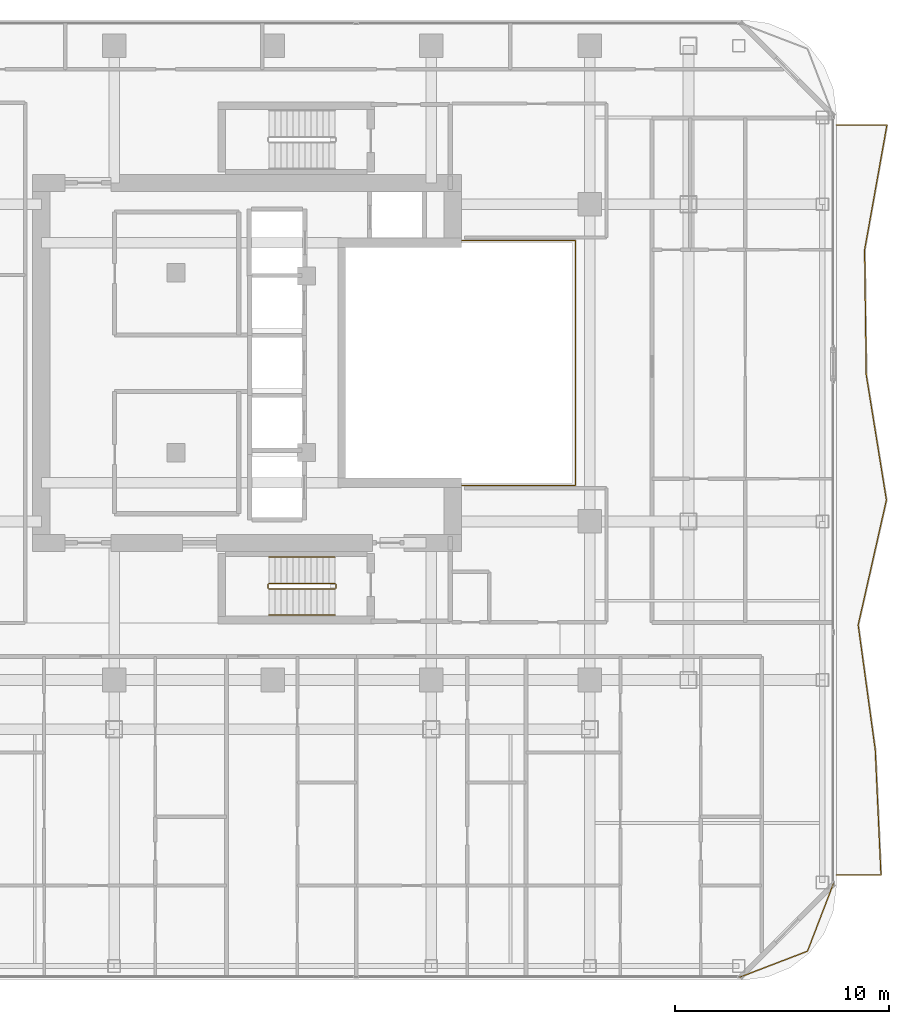
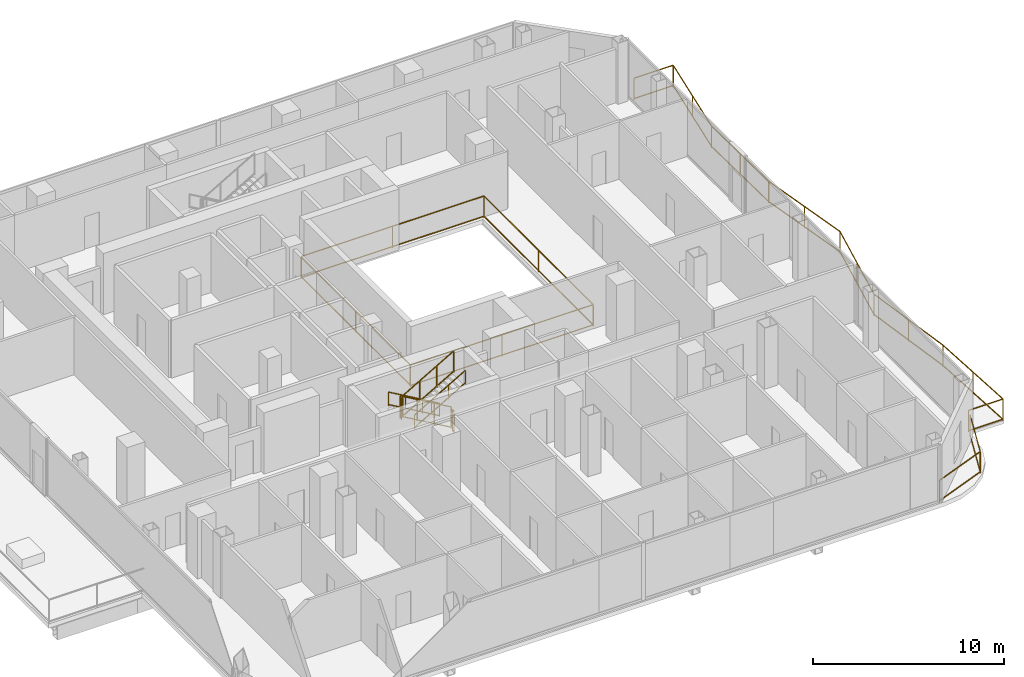
# One storey, part 25 of 26: 9 railings.
"""IFC4 building model written with IfcOpenShell, lengths in metres."""

from ifc_helpers import new_model, si_unit, direction, frame, origin, origin_2d, place, context, subcontext, project, spatial, rectangle, extrude, material, type_object, element, save


model = new_model("IFC4")

# Units and contexts
model_context = context("Model", 3, precision=1e-05, world=origin(), true_north=direction((0.0, 1.0)))
body_context = subcontext(model_context, "Body", "Model", "MODEL_VIEW")
ifc_project = project(units=[si_unit("LENGTHUNIT", "METRE"), si_unit("AREAUNIT", "SQUARE_METRE"), si_unit("VOLUMEUNIT", "CUBIC_METRE"), si_unit("PLANEANGLEUNIT", "RADIAN"), si_unit("MASSUNIT", "GRAM", prefix="KILO")], contexts=[model_context])

# Site, building, storey
site_placement = place(None, origin())
site = spatial("IfcSite", under=ifc_project, at=site_placement, CompositionType="ELEMENT")
building_placement = place(site_placement, origin())
building = spatial("IfcBuilding", under=site, at=building_placement, Name="Khorvyn Point Tower", CompositionType="ELEMENT")
storey_placement = place(building_placement, frame((0.0, 0.0, 219.60009765625)))
storey = spatial("IfcBuildingStorey", under=building, at=storey_placement, Name="L54", CompositionType="ELEMENT", Elevation=219.60009765625)

# Railings
ifc_material_1 = material(Name="Stainless steel 1.4401 and laminated glass", Category="steel")
railing_type_1 = type_object("IfcRailingType", Name="Crystal Atrium Smoke-Rated Perimeter Guardrail 1400", PredefinedType="GUARDRAIL", material=ifc_material_1)
railing_1_placement = place(storey_placement, frame((3.080078125, -5.719970703125, 0.0)))
element("IfcRailing", 1, at=railing_1_placement, inside=storey, type_object=railing_type_1, Name="L54 Crystal Atrium Perimeter Guardrail", PredefinedType="GUARDRAIL", context=body_context, shape_type="SweptSolid", body=[
    extrude(rectangle(XDim=0.048095703125, YDim=0.048095703125, at=origin_2d()), frame((0.0, 0.0, 1.3759765625), z_axis=(1.0, 0.0, 0.0), x_axis=(0.0, 1.0, 0.0)), (0.0, 0.0, 1.0), 11.0400390625),
    extrude(rectangle(XDim=0.048095703125, YDim=0.048095703125, at=origin_2d()), frame((0.0, 0.0, 0.080078125), z_axis=(1.0, 0.0, 0.0), x_axis=(0.0, 1.0, 0.0)), (0.0, 0.0, 1.0), 11.0400390625),
    extrude(rectangle(XDim=0.048095703125, YDim=0.048095703125, at=origin_2d()), frame((11.0400390625, 0.0, 1.3759765625), z_axis=(0.0, 1.0, 0.0), x_axis=(-1.0, 0.0, 0.0)), (0.0, 0.0, 1.0), 11.43994140625),
    extrude(rectangle(XDim=0.048095703125, YDim=0.048095703125, at=origin_2d()), frame((11.0400390625, 0.0, 0.080078125), z_axis=(0.0, 1.0, 0.0), x_axis=(-1.0, 0.0, 0.0)), (0.0, 0.0, 1.0), 11.43994140625),
    extrude(rectangle(XDim=0.048095703125, YDim=0.048095703125, at=origin_2d()), frame((11.0400390625, 11.43994140625, 1.3759765625), z_axis=(-1.0, 0.0, 0.0), x_axis=(0.0, -1.0, 0.0)), (0.0, 0.0, 1.0), 11.0400390625),
    extrude(rectangle(XDim=0.048095703125, YDim=0.048095703125, at=origin_2d()), frame((11.0400390625, 11.43994140625, 0.080078125), z_axis=(-1.0, 0.0, 0.0), x_axis=(0.0, -1.0, 0.0)), (0.0, 0.0, 1.0), 11.0400390625),
    extrude(rectangle(XDim=0.048095703125, YDim=0.048095703125, at=origin_2d()), frame((0.0, 11.43994140625, 1.3759765625), z_axis=(0.0, -1.0, 0.0), x_axis=(1.0, 0.0, 0.0)), (0.0, 0.0, 1.0), 11.409912109375),
    extrude(rectangle(XDim=0.048095703125, YDim=0.048095703125, at=origin_2d()), frame((0.0, 11.43994140625, 0.080078125), z_axis=(0.0, -1.0, 0.0), x_axis=(1.0, 0.0, 0.0)), (0.0, 0.0, 1.0), 11.409912109375),
    extrude(rectangle(XDim=0.0419921875, YDim=0.0419921875, at=origin_2d()), origin(), (0.0, 0.0, 1.0), 1.351806640625),
    extrude(rectangle(XDim=0.0419921875, YDim=0.0419921875, at=origin_2d()), frame((5.52001953125, 0.0, 0.0)), (0.0, 0.0, 1.0), 1.351806640625),
    extrude(rectangle(XDim=0.0419921875, YDim=0.0419921875, at=origin_2d()), frame((11.0400390625, 0.0, 0.0)), (0.0, 0.0, 1.0), 1.351806640625),
    extrude(rectangle(XDim=0.0419921875, YDim=0.0419921875, at=origin_2d()), frame((11.0400390625, 5.719970703125, 0.0)), (0.0, 0.0, 1.0), 1.351806640625),
    extrude(rectangle(XDim=0.0419921875, YDim=0.0419921875, at=origin_2d()), frame((11.0400390625, 11.43994140625, 0.0)), (0.0, 0.0, 1.0), 1.351806640625),
    extrude(rectangle(XDim=0.0419921875, YDim=0.0419921875, at=origin_2d()), frame((5.52001953125, 11.43994140625, 0.0)), (0.0, 0.0, 1.0), 1.351806640625),
    extrude(rectangle(XDim=0.0419921875, YDim=0.0419921875, at=origin_2d()), frame((0.0, 11.43994140625, 0.0)), (0.0, 0.0, 1.0), 1.351806640625),
    extrude(rectangle(XDim=0.0419921875, YDim=0.0419921875, at=origin_2d()), frame((0.0, 5.73486328125, 0.0)), (0.0, 0.0, 1.0), 1.351806640625),
    extrude(rectangle(XDim=0.0419921875, YDim=0.0419921875, at=origin_2d()), frame((0.0, 0.030029296875, 0.0)), (0.0, 0.0, 1.0), 1.351806640625),
])
ifc_material_2 = material(Name="Anodised aluminium 6063-T6 and laminated safety glass", Category="aluminium")
railing_type_2 = type_object("IfcRailingType", Name="Laminated Glass and Aluminium Balcony Guardrail 1400", PredefinedType="BALUSTRADE", material=ifc_material_2)
railing_2_placement = place(storey_placement, frame((21.78125, -28.67431640625, 0.0)))
element("IfcRailing", 2, at=railing_2_placement, inside=storey, type_object=railing_type_2, Name="L54 Rounded Corner Edge Guardrail SE", PredefinedType="BALUSTRADE", context=body_context, shape_type="SweptSolid", body=[
    extrude(rectangle(XDim=0.048095703125, YDim=0.048095703125, at=origin_2d()), frame((0.0, 0.0, 1.3759765625), z_axis=(0.933589651443, 0.358343916815, 0.0), x_axis=(-0.358343916815, 0.933589651443, 0.0)), (0.0, 0.0, 1.0), 3.400390625),
    extrude(rectangle(XDim=0.048095703125, YDim=0.048095703125, at=origin_2d()), frame((0.0, 0.0, 0.080078125), z_axis=(0.933589651443, 0.358343916815, 0.0), x_axis=(-0.358343916815, 0.933589651443, 0.0)), (0.0, 0.0, 1.0), 3.400390625),
    extrude(rectangle(XDim=0.048095703125, YDim=0.048095703125, at=origin_2d()), frame((3.174560546875, 1.218505859375, 1.3759765625), z_axis=(0.358343916815, 0.933589651443, 0.0), x_axis=(-0.933589651443, 0.358343916815, 0.0)), (0.0, 0.0, 1.0), 3.400390625),
    extrude(rectangle(XDim=0.048095703125, YDim=0.048095703125, at=origin_2d()), frame((3.174560546875, 1.218505859375, 0.080078125), z_axis=(0.358343916815, 0.933589651443, 0.0), x_axis=(-0.933589651443, 0.358343916815, 0.0)), (0.0, 0.0, 1.0), 3.400390625),
    extrude(rectangle(XDim=0.0419921875, YDim=0.0419921875, at=origin_2d()), origin(), (0.0, 0.0, 1.0), 1.351806640625),
    extrude(rectangle(XDim=0.0419921875, YDim=0.0419921875, at=origin_2d()), frame((3.174560546875, 1.218505859375, 0.0)), (0.0, 0.0, 1.0), 1.351806640625),
    extrude(rectangle(XDim=0.0419921875, YDim=0.0419921875, at=origin_2d()), frame((4.39306640625, 4.39306640625, 0.0)), (0.0, 0.0, 1.0), 1.351806640625),
])
railing_3_placement = place(storey_placement, frame((26.300048828125, -23.89990234375, 0.0)))
element("IfcRailing", 3, at=railing_3_placement, inside=storey, type_object=railing_type_2, Name="L54 East Balcony Guardrail", PredefinedType="BALUSTRADE", context=body_context, shape_type="SweptSolid", body=[
    extrude(rectangle(XDim=0.048095703125, YDim=0.048095703125, at=origin_2d()), frame((0.0, 0.0, 1.3759765625), z_axis=(1.0, 0.0, 0.0), x_axis=(0.0, 1.0, 0.0)), (0.0, 0.0, 1.0), 2.08349609375),
    extrude(rectangle(XDim=0.048095703125, YDim=0.048095703125, at=origin_2d()), frame((0.0, 0.0, 0.080078125), z_axis=(1.0, 0.0, 0.0), x_axis=(0.0, 1.0, 0.0)), (0.0, 0.0, 1.0), 2.08349609375),
    extrude(rectangle(XDim=0.048095703125, YDim=0.048095703125, at=origin_2d()), frame((2.08349609375, 0.0, 1.3759765625), z_axis=(-0.045572658063, 0.998961026686, 0.0), x_axis=(-0.998961026686, -0.045572658063, 0.0)), (0.0, 0.0, 1.0), 5.83935546875),
    extrude(rectangle(XDim=0.048095703125, YDim=0.048095703125, at=origin_2d()), frame((2.08349609375, 0.0, 0.080078125), z_axis=(-0.045572658063, 0.998961026686, 0.0), x_axis=(-0.998961026686, -0.045572658063, 0.0)), (0.0, 0.0, 1.0), 5.83935546875),
    extrude(rectangle(XDim=0.048095703125, YDim=0.048095703125, at=origin_2d()), frame((1.8173828125, 5.833251953125, 1.3759765625), z_axis=(-0.13539262389, 0.990792025299, 0.0), x_axis=(-0.990792025299, -0.13539262389, 0.0)), (0.0, 0.0, 1.0), 5.887451171875),
    extrude(rectangle(XDim=0.048095703125, YDim=0.048095703125, at=origin_2d()), frame((1.8173828125, 5.833251953125, 0.080078125), z_axis=(-0.13539262389, 0.990792025299, 0.0), x_axis=(-0.990792025299, -0.13539262389, 0.0)), (0.0, 0.0, 1.0), 5.887451171875),
    extrude(rectangle(XDim=0.048095703125, YDim=0.048095703125, at=origin_2d()), frame((1.020263671875, 11.66650390625, 1.3759765625), z_axis=(0.220283425331, 0.975435908978, 0.0), x_axis=(-0.975435908978, 0.220283425331, 0.0)), (0.0, 0.0, 1.0), 5.98046875),
    extrude(rectangle(XDim=0.048095703125, YDim=0.048095703125, at=origin_2d()), frame((1.020263671875, 11.66650390625, 0.080078125), z_axis=(0.220283425331, 0.975435908978, 0.0), x_axis=(-0.975435908978, 0.220283425331, 0.0)), (0.0, 0.0, 1.0), 5.98046875),
    extrude(rectangle(XDim=0.048095703125, YDim=0.048095703125, at=origin_2d()), frame((2.337646484375, 17.5, 1.3759765625), z_axis=(-0.159083038663, 0.987265205915, 0.0), x_axis=(-0.987265205915, -0.159083038663, 0.0)), (0.0, 0.0, 1.0), 5.908447265625),
    extrude(rectangle(XDim=0.048095703125, YDim=0.048095703125, at=origin_2d()), frame((2.337646484375, 17.5, 0.080078125), z_axis=(-0.159083038663, 0.987265205915, 0.0), x_axis=(-0.987265205915, -0.159083038663, 0.0)), (0.0, 0.0, 1.0), 5.908447265625),
    extrude(rectangle(XDim=0.048095703125, YDim=0.048095703125, at=origin_2d()), frame((1.397705078125, 23.333251953125, 1.3759765625), z_axis=(-0.013350000931, 0.999910884767, 0.0), x_axis=(-0.999910884767, -0.013350000931, 0.0)), (0.0, 0.0, 1.0), 5.833740234375),
    extrude(rectangle(XDim=0.048095703125, YDim=0.048095703125, at=origin_2d()), frame((1.397705078125, 23.333251953125, 0.080078125), z_axis=(-0.013350000931, 0.999910884767, 0.0), x_axis=(-0.999910884767, -0.013350000931, 0.0)), (0.0, 0.0, 1.0), 5.833740234375),
    extrude(rectangle(XDim=0.048095703125, YDim=0.048095703125, at=origin_2d()), frame((1.31982421875, 29.16650390625, 1.3759765625), z_axis=(0.175958892926, 0.984397515235, 0.0), x_axis=(-0.984397515235, 0.175958892926, 0.0)), (0.0, 0.0, 1.0), 5.926025390625),
    extrude(rectangle(XDim=0.048095703125, YDim=0.048095703125, at=origin_2d()), frame((1.31982421875, 29.16650390625, 0.080078125), z_axis=(0.175958892926, 0.984397515235, 0.0), x_axis=(-0.984397515235, 0.175958892926, 0.0)), (0.0, 0.0, 1.0), 5.926025390625),
    extrude(rectangle(XDim=0.048095703125, YDim=0.048095703125, at=origin_2d()), frame((2.362548828125, 35.0, 1.3759765625), z_axis=(-1.0, 0.0, 0.0), x_axis=(0.0, -1.0, 0.0)), (0.0, 0.0, 1.0), 2.362548828125),
    extrude(rectangle(XDim=0.048095703125, YDim=0.048095703125, at=origin_2d()), frame((2.362548828125, 35.0, 0.080078125), z_axis=(-1.0, 0.0, 0.0), x_axis=(0.0, -1.0, 0.0)), (0.0, 0.0, 1.0), 2.362548828125),
    extrude(rectangle(XDim=0.0419921875, YDim=0.0419921875, at=origin_2d()), origin(), (0.0, 0.0, 1.0), 1.351806640625),
    extrude(rectangle(XDim=0.0419921875, YDim=0.0419921875, at=origin_2d()), frame((2.08349609375, 0.0, 0.0)), (0.0, 0.0, 1.0), 1.351806640625),
    extrude(rectangle(XDim=0.0419921875, YDim=0.0419921875, at=origin_2d()), frame((1.950439453125, 2.91650390625, 0.0)), (0.0, 0.0, 1.0), 1.351806640625),
    extrude(rectangle(XDim=0.0419921875, YDim=0.0419921875, at=origin_2d()), frame((1.8173828125, 5.833251953125, 0.0)), (0.0, 0.0, 1.0), 1.351806640625),
    extrude(rectangle(XDim=0.0419921875, YDim=0.0419921875, at=origin_2d()), frame((1.4189453125, 8.75, 0.0)), (0.0, 0.0, 1.0), 1.351806640625),
    extrude(rectangle(XDim=0.0419921875, YDim=0.0419921875, at=origin_2d()), frame((1.020263671875, 11.66650390625, 0.0)), (0.0, 0.0, 1.0), 1.351806640625),
    extrude(rectangle(XDim=0.0419921875, YDim=0.0419921875, at=origin_2d()), frame((1.678955078125, 14.583251953125, 0.0)), (0.0, 0.0, 1.0), 1.351806640625),
    extrude(rectangle(XDim=0.0419921875, YDim=0.0419921875, at=origin_2d()), frame((2.337646484375, 17.5, 0.0)), (0.0, 0.0, 1.0), 1.351806640625),
    extrude(rectangle(XDim=0.0419921875, YDim=0.0419921875, at=origin_2d()), frame((1.86767578125, 20.41650390625, 0.0)), (0.0, 0.0, 1.0), 1.351806640625),
    extrude(rectangle(XDim=0.0419921875, YDim=0.0419921875, at=origin_2d()), frame((1.397705078125, 23.333251953125, 0.0)), (0.0, 0.0, 1.0), 1.351806640625),
    extrude(rectangle(XDim=0.0419921875, YDim=0.0419921875, at=origin_2d()), frame((1.35888671875, 26.25, 0.0)), (0.0, 0.0, 1.0), 1.351806640625),
    extrude(rectangle(XDim=0.0419921875, YDim=0.0419921875, at=origin_2d()), frame((1.31982421875, 29.16650390625, 0.0)), (0.0, 0.0, 1.0), 1.351806640625),
    extrude(rectangle(XDim=0.0419921875, YDim=0.0419921875, at=origin_2d()), frame((1.84130859375, 32.083251953125, 0.0)), (0.0, 0.0, 1.0), 1.351806640625),
    extrude(rectangle(XDim=0.0419921875, YDim=0.0419921875, at=origin_2d()), frame((2.362548828125, 35.0, 0.0)), (0.0, 0.0, 1.0), 1.351806640625),
    extrude(rectangle(XDim=0.0419921875, YDim=0.0419921875, at=origin_2d()), frame((0.0, 35.0, 0.0)), (0.0, 0.0, 1.0), 1.351806640625),
])
ifc_material_3 = material(Name="Stainless steel 1.4301", Category="steel")
railing_type_3 = type_object("IfcRailingType", Name="Stainless Steel 304 Stair Pitch Handrail 900", PredefinedType="HANDRAIL", material=ifc_material_3)
railing_4_placement = place(storey_placement, frame((2.89990234375, -9.070068359375, 0.162353515625)))
element("IfcRailing", 4, at=railing_4_placement, inside=storey, type_object=railing_type_3, Name="L54 ST-01 stair handrail 1", PredefinedType="HANDRAIL", context=body_context, shape_type="SweptSolid", body=[
    extrude(rectangle(XDim=0.048095703125, YDim=0.048095703125, at=origin_2d()), frame((0.0, 0.0, 0.8759765625), z_axis=(-0.864873446163, 0.0, 0.501989962173), x_axis=(0.0, -1.0, 0.0)), (0.0, 0.0, 1.0), 3.56103515625),
    extrude(rectangle(XDim=0.048095703125, YDim=0.048095703125, at=origin_2d()), frame((0.0, 0.0, 0.080078125), z_axis=(-0.864873446163, 0.0, 0.501989962173), x_axis=(0.0, -1.0, 0.0)), (0.0, 0.0, 1.0), 3.56103515625),
    extrude(rectangle(XDim=0.0419921875, YDim=0.0419921875, at=origin_2d()), origin(), (0.0, 0.0, 1.0), 0.851806640625),
    extrude(rectangle(XDim=0.0419921875, YDim=0.0419921875, at=origin_2d()), frame((-1.026611328125, 0.0, 0.595947265625)), (0.0, 0.0, 1.0), 0.851806640625),
    extrude(rectangle(XDim=0.0419921875, YDim=0.0419921875, at=origin_2d()), frame((-2.05322265625, 0.0, 1.191650390625)), (0.0, 0.0, 1.0), 0.851806640625),
    extrude(rectangle(XDim=0.0419921875, YDim=0.0419921875, at=origin_2d()), frame((-3.079833984375, 0.0, 1.78759765625)), (0.0, 0.0, 1.0), 0.851806640625),
])
railing_5_placement = place(storey_placement, frame((-0.179931640625, -11.77001953125, 2.1123046875)))
element("IfcRailing", 5, at=railing_5_placement, inside=storey, type_object=railing_type_3, Name="L54 ST-01 stair handrail 2", PredefinedType="HANDRAIL", context=body_context, shape_type="SweptSolid", body=[
    extrude(rectangle(XDim=0.048095703125, YDim=0.048095703125, at=origin_2d()), frame((0.0, 0.0, 0.8759765625), z_axis=(0.864873446163, 0.0, 0.501989962173), x_axis=(0.0, 1.0, 0.0)), (0.0, 0.0, 1.0), 3.56103515625),
    extrude(rectangle(XDim=0.048095703125, YDim=0.048095703125, at=origin_2d()), frame((0.0, 0.0, 0.080078125), z_axis=(0.864873446163, 0.0, 0.501989962173), x_axis=(0.0, 1.0, 0.0)), (0.0, 0.0, 1.0), 3.56103515625),
    extrude(rectangle(XDim=0.0419921875, YDim=0.0419921875, at=origin_2d()), origin(), (0.0, 0.0, 1.0), 0.851806640625),
    extrude(rectangle(XDim=0.0419921875, YDim=0.0419921875, at=origin_2d()), frame((1.026611328125, 0.0, 0.595947265625)), (0.0, 0.0, 1.0), 0.851806640625),
    extrude(rectangle(XDim=0.0419921875, YDim=0.0419921875, at=origin_2d()), frame((2.05322265625, 0.0, 1.191650390625)), (0.0, 0.0, 1.0), 0.851806640625),
    extrude(rectangle(XDim=0.0419921875, YDim=0.0419921875, at=origin_2d()), frame((3.079833984375, 0.0, 1.78759765625)), (0.0, 0.0, 1.0), 0.851806640625),
])
railing_type_4 = type_object("IfcRailingType", Name="Stainless Steel 304 Stair Well Guardrail 1400", PredefinedType="GUARDRAIL", material=ifc_material_3)
railing_6_placement = place(storey_placement, frame((2.89990234375, -10.2900390625, 0.162353515625)))
element("IfcRailing", 6, at=railing_6_placement, inside=storey, type_object=railing_type_4, Name="L54 ST-01 stair guard 1", PredefinedType="GUARDRAIL", context=body_context, shape_type="SweptSolid", body=[
    extrude(rectangle(XDim=0.048095703125, YDim=0.048095703125, at=origin_2d()), frame((0.0, 0.0, 1.3759765625), z_axis=(-0.864873446163, 0.0, 0.501989962173), x_axis=(0.0, -1.0, 0.0)), (0.0, 0.0, 1.0), 3.56103515625),
    extrude(rectangle(XDim=0.048095703125, YDim=0.048095703125, at=origin_2d()), frame((0.0, 0.0, 0.080078125), z_axis=(-0.864873446163, 0.0, 0.501989962173), x_axis=(0.0, -1.0, 0.0)), (0.0, 0.0, 1.0), 3.56103515625),
    extrude(rectangle(XDim=0.0419921875, YDim=0.0419921875, at=origin_2d()), origin(), (0.0, 0.0, 1.0), 1.351806640625),
    extrude(rectangle(XDim=0.0419921875, YDim=0.0419921875, at=origin_2d()), frame((-1.026611328125, 0.0, 0.595947265625)), (0.0, 0.0, 1.0), 1.351806640625),
    extrude(rectangle(XDim=0.0419921875, YDim=0.0419921875, at=origin_2d()), frame((-2.05322265625, 0.0, 1.191650390625)), (0.0, 0.0, 1.0), 1.351806640625),
    extrude(rectangle(XDim=0.0419921875, YDim=0.0419921875, at=origin_2d()), frame((-3.079833984375, 0.0, 1.78759765625)), (0.0, 0.0, 1.0), 1.351806640625),
])
railing_7_placement = place(storey_placement, frame((-0.22998046875, -10.340087890625, 1.949951171875)))
element("IfcRailing", 7, at=railing_7_placement, inside=storey, type_object=railing_type_4, Name="L54 ST-01 stair guard 2", PredefinedType="GUARDRAIL", context=body_context, shape_type="SweptSolid", body=[
    extrude(rectangle(XDim=0.048095703125, YDim=0.048095703125, at=origin_2d()), frame((0.0, 0.0, 1.3759765625), z_axis=(0.0, -1.0, 0.0), x_axis=(1.0, 0.0, 0.0)), (0.0, 0.0, 1.0), 0.159912109375),
    extrude(rectangle(XDim=0.048095703125, YDim=0.048095703125, at=origin_2d()), frame((0.0, 0.0, 0.080078125), z_axis=(0.0, -1.0, 0.0), x_axis=(1.0, 0.0, 0.0)), (0.0, 0.0, 1.0), 0.159912109375),
    extrude(rectangle(XDim=0.0419921875, YDim=0.0419921875, at=origin_2d()), origin(), (0.0, 0.0, 1.0), 1.351806640625),
    extrude(rectangle(XDim=0.0419921875, YDim=0.0419921875, at=origin_2d()), frame((0.0, -0.159912109375, 0.0)), (0.0, 0.0, 1.0), 1.351806640625),
])
railing_8_placement = place(storey_placement, frame((-0.179931640625, -10.550048828125, 2.1123046875)))
element("IfcRailing", 8, at=railing_8_placement, inside=storey, type_object=railing_type_4, Name="L54 ST-01 stair guard 3", PredefinedType="GUARDRAIL", context=body_context, shape_type="SweptSolid", body=[
    extrude(rectangle(XDim=0.048095703125, YDim=0.048095703125, at=origin_2d()), frame((0.0, 0.0, 1.3759765625), z_axis=(0.864873446163, 0.0, 0.501989962173), x_axis=(0.0, 1.0, 0.0)), (0.0, 0.0, 1.0), 3.56103515625),
    extrude(rectangle(XDim=0.048095703125, YDim=0.048095703125, at=origin_2d()), frame((0.0, 0.0, 0.080078125), z_axis=(0.864873446163, 0.0, 0.501989962173), x_axis=(0.0, 1.0, 0.0)), (0.0, 0.0, 1.0), 3.56103515625),
    extrude(rectangle(XDim=0.0419921875, YDim=0.0419921875, at=origin_2d()), origin(), (0.0, 0.0, 1.0), 1.351806640625),
    extrude(rectangle(XDim=0.0419921875, YDim=0.0419921875, at=origin_2d()), frame((1.026611328125, 0.0, 0.595947265625)), (0.0, 0.0, 1.0), 1.351806640625),
    extrude(rectangle(XDim=0.0419921875, YDim=0.0419921875, at=origin_2d()), frame((2.05322265625, 0.0, 1.191650390625)), (0.0, 0.0, 1.0), 1.351806640625),
    extrude(rectangle(XDim=0.0419921875, YDim=0.0419921875, at=origin_2d()), frame((3.079833984375, 0.0, 1.78759765625)), (0.0, 0.0, 1.0), 1.351806640625),
])
railing_9_placement = place(storey_placement, frame((2.949951171875, -10.340087890625, 0.0)))
element("IfcRailing", 9, at=railing_9_placement, inside=storey, type_object=railing_type_4, Name="L54 ST-01 stair guard 4", PredefinedType="GUARDRAIL", context=body_context, shape_type="SweptSolid", body=[
    extrude(rectangle(XDim=0.048095703125, YDim=0.048095703125, at=origin_2d()), frame((0.0, 0.0, 1.3759765625), z_axis=(0.0, -1.0, 0.0), x_axis=(1.0, 0.0, 0.0)), (0.0, 0.0, 1.0), 0.159912109375),
    extrude(rectangle(XDim=0.048095703125, YDim=0.048095703125, at=origin_2d()), frame((0.0, 0.0, 0.080078125), z_axis=(0.0, -1.0, 0.0), x_axis=(1.0, 0.0, 0.0)), (0.0, 0.0, 1.0), 0.159912109375),
    extrude(rectangle(XDim=0.0419921875, YDim=0.0419921875, at=origin_2d()), origin(), (0.0, 0.0, 1.0), 1.351806640625),
    extrude(rectangle(XDim=0.0419921875, YDim=0.0419921875, at=origin_2d()), frame((0.0, -0.159912109375, 0.0)), (0.0, 0.0, 1.0), 1.351806640625),
])

save(model, "model.ifc")
